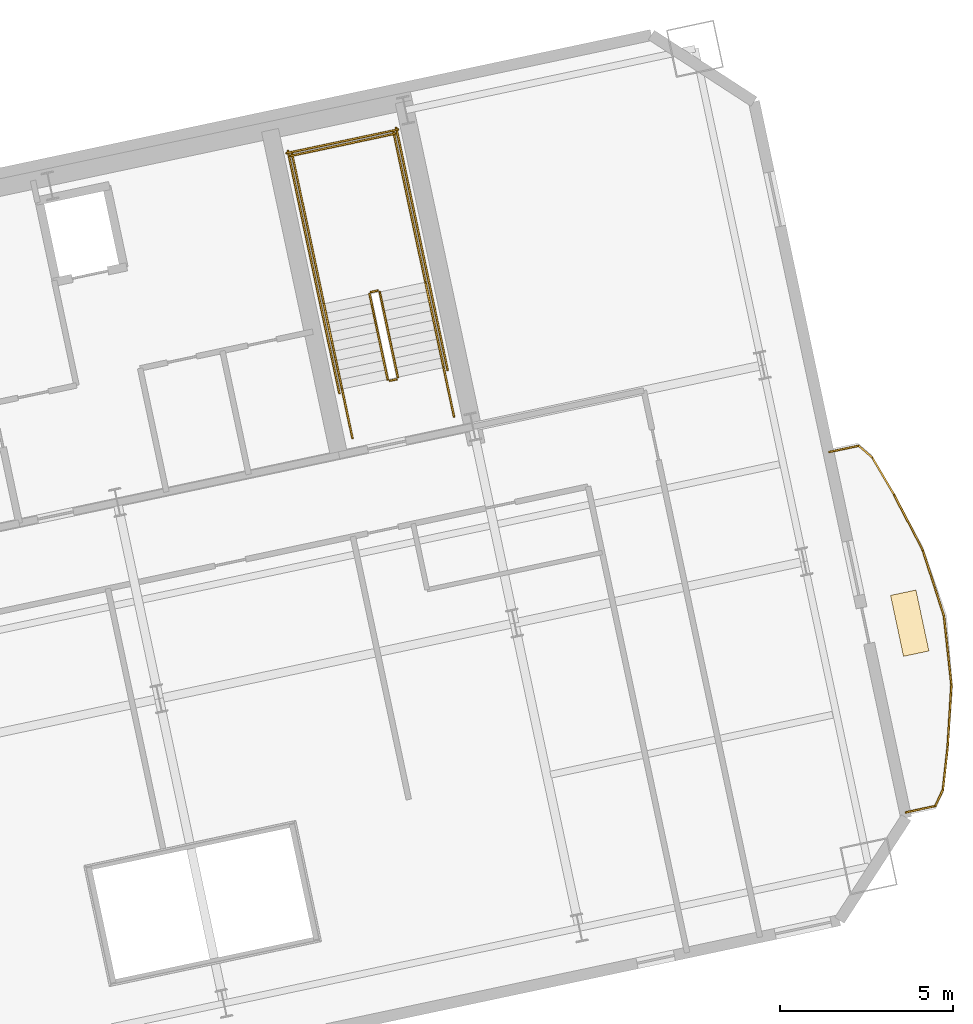
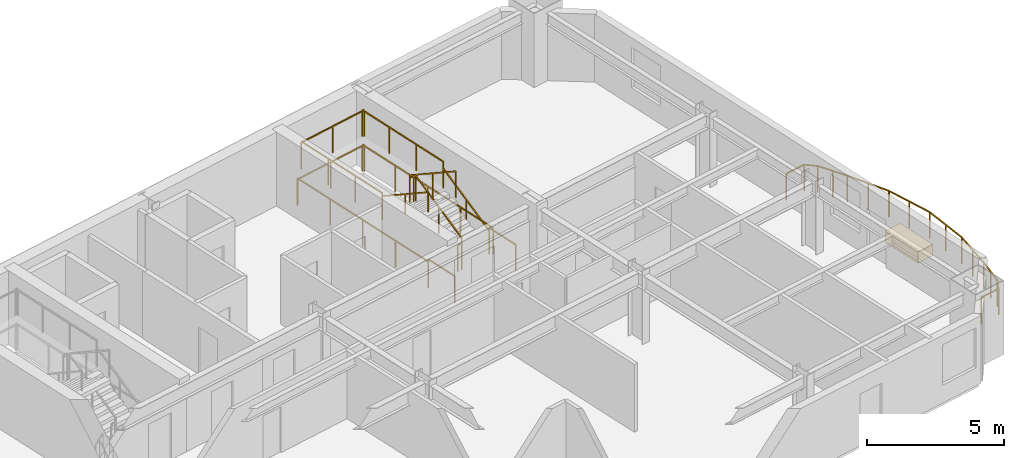
# One storey, part 14 of 14: 24 railings, 1 covering.
"""IFC4 building model written with IfcOpenShell, lengths in metres."""

from ifc_helpers import new_model, si_unit, direction, frame, origin, origin_2d, place, context, subcontext, project, spatial, rectangle, extrude, material, layer, layer_set, type_object, element, save


model = new_model("IFC4")

# Units and contexts
model_context = context("Model", 3, precision=1e-05, world=origin(), true_north=direction((0.0, 1.0)))
body_context = subcontext(model_context, "Body", "Model", "MODEL_VIEW")
ifc_project = project(units=[si_unit("LENGTHUNIT", "METRE"), si_unit("AREAUNIT", "SQUARE_METRE"), si_unit("VOLUMEUNIT", "CUBIC_METRE"), si_unit("PLANEANGLEUNIT", "RADIAN"), si_unit("MASSUNIT", "GRAM", prefix="KILO")], contexts=[model_context])

# Site, building, storey
site_placement = place(None, origin())
site = spatial("IfcSite", under=ifc_project, at=site_placement, CompositionType="ELEMENT")
building_placement = place(site_placement, origin())
building = spatial("IfcBuilding", under=site, at=building_placement, Name="Haevon Station Towers", CompositionType="ELEMENT")
storey_placement = place(building_placement, frame((0.0, 0.0, 106.5)))
storey = spatial("IfcBuildingStorey", under=building, at=storey_placement, Name="L28", CompositionType="ELEMENT", Elevation=106.5)

# Railings
ifc_material_1 = material(Name="Steel S355", Category="steel")
railing_type_1 = type_object("IfcRailingType", Name="GRD-EXT1200", PredefinedType="GUARDRAIL", material=ifc_material_1)
railing_1_placement = place(storey_placement, frame((131.80615234375, 30.66943359375, 0.0)))
element("IfcRailing", 1, at=railing_1_placement, inside=storey, type_object=railing_type_1, Name="L28 Perimeter Guardrail 1", PredefinedType="GUARDRAIL", context=body_context, shape_type="SweptSolid", body=[
    extrude(rectangle(XDim=0.048095703125, YDim=0.048095703125, at=origin_2d()), frame((0.0, 0.0, 1.17578125), z_axis=(0.977625338711, 0.210353742802, 0.0), x_axis=(-0.210353742802, 0.977625338711, 0.0)), (0.0, 0.0, 1.0), 0.869384765625),
    extrude(rectangle(XDim=0.0419921875, YDim=0.0419921875, at=origin_2d()), origin(), (0.0, 0.0, 1.0), 1.15185546875),
    extrude(rectangle(XDim=0.0419921875, YDim=0.0419921875, at=origin_2d()), frame((0.849853515625, 0.182861328125, 0.0)), (0.0, 0.0, 1.0), 1.15185546875),
])
railing_2_placement = place(storey_placement, frame((132.656005859375, 30.852294921875, 0.0)))
element("IfcRailing", 2, at=railing_2_placement, inside=storey, type_object=railing_type_1, Name="L28 Perimeter Guardrail 2", PredefinedType="GUARDRAIL", context=body_context, shape_type="SweptSolid", body=[
    extrude(rectangle(XDim=0.048095703125, YDim=0.048095703125, at=origin_2d()), frame((0.0, 0.0, 1.17578125), z_axis=(0.424336804867, 0.905504431814, 0.0), x_axis=(-0.905504431814, 0.424336804867, 0.0)), (0.0, 0.0, 1.0), 0.515625),
    extrude(rectangle(XDim=0.0419921875, YDim=0.0419921875, at=origin_2d()), origin(), (0.0, 0.0, 1.0), 1.15185546875),
    extrude(rectangle(XDim=0.0419921875, YDim=0.0419921875, at=origin_2d()), frame((0.21875, 0.466796875, 0.0)), (0.0, 0.0, 1.0), 1.15185546875),
])
railing_3_placement = place(storey_placement, frame((132.874755859375, 31.319091796875, 0.0)))
element("IfcRailing", 3, at=railing_3_placement, inside=storey, type_object=railing_type_1, Name="L28 Perimeter Guardrail 3", PredefinedType="GUARDRAIL", context=body_context, shape_type="SweptSolid", body=[
    extrude(rectangle(XDim=0.048095703125, YDim=0.048095703125, at=origin_2d()), frame((0.0, 0.0, 1.17578125), z_axis=(0.111061630517, 0.993813520851, 0.0), x_axis=(-0.993813520851, 0.111061630517, 0.0)), (0.0, 0.0, 1.0), 1.233154296875),
    extrude(rectangle(XDim=0.0419921875, YDim=0.0419921875, at=origin_2d()), origin(), (0.0, 0.0, 1.0), 1.15185546875),
    extrude(rectangle(XDim=0.0419921875, YDim=0.0419921875, at=origin_2d()), frame((0.068359375, 0.61279296875, 0.0)), (0.0, 0.0, 1.0), 1.15185546875),
    extrude(rectangle(XDim=0.0419921875, YDim=0.0419921875, at=origin_2d()), frame((0.136962890625, 1.2255859375, 0.0)), (0.0, 0.0, 1.0), 1.15185546875),
])
railing_4_placement = place(storey_placement, frame((133.01171875, 32.544677734375, 0.0)))
element("IfcRailing", 4, at=railing_4_placement, inside=storey, type_object=railing_type_1, Name="L28 Perimeter Guardrail 4", PredefinedType="GUARDRAIL", context=body_context, shape_type="SweptSolid", body=[
    extrude(rectangle(XDim=0.048095703125, YDim=0.048095703125, at=origin_2d()), frame((0.0, 0.0, 1.17578125), z_axis=(0.060230624472, 0.998184487896, 0.0), x_axis=(-0.998184487896, 0.060230624472, 0.0)), (0.0, 0.0, 1.0), 1.811767578125),
    extrude(rectangle(XDim=0.0419921875, YDim=0.0419921875, at=origin_2d()), origin(), (0.0, 0.0, 1.0), 1.15185546875),
    extrude(rectangle(XDim=0.0419921875, YDim=0.0419921875, at=origin_2d()), frame((0.0546875, 0.904296875, 0.0)), (0.0, 0.0, 1.0), 1.15185546875),
    extrude(rectangle(XDim=0.0419921875, YDim=0.0419921875, at=origin_2d()), frame((0.109130859375, 1.80859375, 0.0)), (0.0, 0.0, 1.0), 1.15185546875),
])
railing_5_placement = place(storey_placement, frame((133.120849609375, 34.353271484375, 0.0)))
element("IfcRailing", 5, at=railing_5_placement, inside=storey, type_object=railing_type_1, Name="L28 Perimeter Guardrail 5", PredefinedType="GUARDRAIL", context=body_context, shape_type="SweptSolid", body=[
    extrude(rectangle(XDim=0.048095703125, YDim=0.048095703125, at=origin_2d()), frame((0.0, 0.0, 1.17578125), z_axis=(-0.107406933296, 0.994215143055, 0.0), x_axis=(-0.994215143055, -0.107406933296, 0.0)), (0.0, 0.0, 1.0), 2.00244140625),
    extrude(rectangle(XDim=0.0419921875, YDim=0.0419921875, at=origin_2d()), origin(), (0.0, 0.0, 1.0), 1.15185546875),
    extrude(rectangle(XDim=0.0419921875, YDim=0.0419921875, at=origin_2d()), frame((-0.107421875, 0.99560546875, 0.0)), (0.0, 0.0, 1.0), 1.15185546875),
    extrude(rectangle(XDim=0.0419921875, YDim=0.0419921875, at=origin_2d()), frame((-0.215087890625, 1.990966796875, 0.0)), (0.0, 0.0, 1.0), 1.15185546875),
])
railing_6_placement = place(storey_placement, frame((132.90576171875, 36.34423828125, 0.0)))
element("IfcRailing", 6, at=railing_6_placement, inside=storey, type_object=railing_type_1, Name="L28 Perimeter Guardrail 6", PredefinedType="GUARDRAIL", context=body_context, shape_type="SweptSolid", body=[
    extrude(rectangle(XDim=0.048095703125, YDim=0.048095703125, at=origin_2d()), frame((0.0, 0.0, 1.17578125), z_axis=(-0.30633667378, 0.951923233406, 0.0), x_axis=(-0.951923233406, -0.30633667378, 0.0)), (0.0, 0.0, 1.0), 2.002685546875),
    extrude(rectangle(XDim=0.0419921875, YDim=0.0419921875, at=origin_2d()), origin(), (0.0, 0.0, 1.0), 1.15185546875),
    extrude(rectangle(XDim=0.0419921875, YDim=0.0419921875, at=origin_2d()), frame((-0.306640625, 0.953125, 0.0)), (0.0, 0.0, 1.0), 1.15185546875),
    extrude(rectangle(XDim=0.0419921875, YDim=0.0419921875, at=origin_2d()), frame((-0.613525390625, 1.906494140625, 0.0)), (0.0, 0.0, 1.0), 1.15185546875),
])
railing_7_placement = place(storey_placement, frame((132.292236328125, 38.250732421875, 0.0)))
element("IfcRailing", 7, at=railing_7_placement, inside=storey, type_object=railing_type_1, Name="L28 Perimeter Guardrail 7", PredefinedType="GUARDRAIL", context=body_context, shape_type="SweptSolid", body=[
    extrude(rectangle(XDim=0.048095703125, YDim=0.048095703125, at=origin_2d()), frame((0.0, 0.0, 1.17578125), z_axis=(-0.460958133013, 0.887421883666, 0.0), x_axis=(-0.887421883666, -0.460958133013, 0.0)), (0.0, 0.0, 1.0), 1.811767578125),
    extrude(rectangle(XDim=0.0419921875, YDim=0.0419921875, at=origin_2d()), origin(), (0.0, 0.0, 1.0), 1.15185546875),
    extrude(rectangle(XDim=0.0419921875, YDim=0.0419921875, at=origin_2d()), frame((-0.41748046875, 0.803955078125, 0.0)), (0.0, 0.0, 1.0), 1.15185546875),
    extrude(rectangle(XDim=0.0419921875, YDim=0.0419921875, at=origin_2d()), frame((-0.835205078125, 1.60791015625, 0.0)), (0.0, 0.0, 1.0), 1.15185546875),
])
railing_8_placement = place(storey_placement, frame((131.45703125, 39.858642578125, 0.0)))
element("IfcRailing", 8, at=railing_8_placement, inside=storey, type_object=railing_type_1, Name="L28 Perimeter Guardrail 8", PredefinedType="GUARDRAIL", context=body_context, shape_type="SweptSolid", body=[
    extrude(rectangle(XDim=0.048095703125, YDim=0.048095703125, at=origin_2d()), frame((0.0, 0.0, 1.17578125), z_axis=(-0.505704255016, 0.862706906463, 0.0), x_axis=(-0.862706906463, -0.505704255016, 0.0)), (0.0, 0.0, 1.0), 1.23291015625),
    extrude(rectangle(XDim=0.0419921875, YDim=0.0419921875, at=origin_2d()), origin(), (0.0, 0.0, 1.0), 1.15185546875),
    extrude(rectangle(XDim=0.0419921875, YDim=0.0419921875, at=origin_2d()), frame((-0.311767578125, 0.53173828125, 0.0)), (0.0, 0.0, 1.0), 1.15185546875),
    extrude(rectangle(XDim=0.0419921875, YDim=0.0419921875, at=origin_2d()), frame((-0.62353515625, 1.063720703125, 0.0)), (0.0, 0.0, 1.0), 1.15185546875),
])
railing_9_placement = place(storey_placement, frame((130.83349609375, 40.92236328125, 0.0)))
element("IfcRailing", 9, at=railing_9_placement, inside=storey, type_object=railing_type_1, Name="L28 Perimeter Guardrail 9", PredefinedType="GUARDRAIL", context=body_context, shape_type="SweptSolid", body=[
    extrude(rectangle(XDim=0.048095703125, YDim=0.048095703125, at=origin_2d()), frame((0.0, 0.0, 1.17578125), z_axis=(-0.755735952002, 0.654876454648, 0.0), x_axis=(-0.654876454648, -0.755735952002, 0.0)), (0.0, 0.0, 1.0), 0.515625),
    extrude(rectangle(XDim=0.0419921875, YDim=0.0419921875, at=origin_2d()), origin(), (0.0, 0.0, 1.0), 1.15185546875),
    extrude(rectangle(XDim=0.0419921875, YDim=0.0419921875, at=origin_2d()), frame((-0.3896484375, 0.337646484375, 0.0)), (0.0, 0.0, 1.0), 1.15185546875),
])
railing_10_placement = place(storey_placement, frame((130.44384765625, 41.260009765625, 0.0)))
element("IfcRailing", 10, at=railing_10_placement, inside=storey, type_object=railing_type_1, Name="L28 Perimeter Guardrail 10", PredefinedType="GUARDRAIL", context=body_context, shape_type="SweptSolid", body=[
    extrude(rectangle(XDim=0.048095703125, YDim=0.048095703125, at=origin_2d()), frame((0.0, 0.0, 1.17578125), z_axis=(-0.978588498747, -0.205826504901, 0.0), x_axis=(0.205826504901, -0.978588498747, 0.0)), (0.0, 0.0, 1.0), 0.869384765625),
    extrude(rectangle(XDim=0.0419921875, YDim=0.0419921875, at=origin_2d()), origin(), (0.0, 0.0, 1.0), 1.15185546875),
    extrude(rectangle(XDim=0.0419921875, YDim=0.0419921875, at=origin_2d()), frame((-0.850830078125, -0.178955078125, 0.0)), (0.0, 0.0, 1.0), 1.15185546875),
])
railing_type_2 = type_object("IfcRailingType", Name="GRD-STR1200", PredefinedType="GUARDRAIL", material=ifc_material_1)
railing_11_placement = place(storey_placement, frame((117.128662109375, 43.23974609375, 0.1650390625)))
element("IfcRailing", 11, at=railing_11_placement, inside=storey, type_object=railing_type_2, Name="L28 ST4 Stair Guard 1", PredefinedType="GUARDRAIL", context=body_context, shape_type="SweptSolid", body=[
    extrude(rectangle(XDim=0.048095703125, YDim=0.048095703125, at=origin_2d()), frame((0.0, 0.0, 1.17578125), z_axis=(-0.179128856099, 0.842723639875, 0.507670877349), x_axis=(-0.978147030254, -0.207914374695, 0.0)), (0.0, 0.0, 1.0), 2.9248046875),
    extrude(rectangle(XDim=0.0419921875, YDim=0.0419921875, at=origin_2d()), origin(), (0.0, 0.0, 1.0), 1.15185546875),
    extrude(rectangle(XDim=0.0419921875, YDim=0.0419921875, at=origin_2d()), frame((-0.261962890625, 1.232421875, 0.742431640625)), (0.0, 0.0, 1.0), 1.15185546875),
    extrude(rectangle(XDim=0.0419921875, YDim=0.0419921875, at=origin_2d()), frame((-0.52392578125, 2.46484375, 1.48486328125)), (0.0, 0.0, 1.0), 1.15185546875),
])
railing_12_placement = place(storey_placement, frame((116.54541015625, 45.7431640625, 1.64990234375)))
element("IfcRailing", 12, at=railing_12_placement, inside=storey, type_object=railing_type_2, Name="L28 ST4 Stair Guard 2", PredefinedType="GUARDRAIL", context=body_context, shape_type="SweptSolid", body=[
    extrude(rectangle(XDim=0.048095703125, YDim=0.048095703125, at=origin_2d()), frame((0.0, 0.0, 1.17578125), z_axis=(-0.97826412705, -0.207362720198, 0.0), x_axis=(0.207362720198, -0.97826412705, 0.0)), (0.0, 0.0, 1.0), 0.2001953125),
    extrude(rectangle(XDim=0.0419921875, YDim=0.0419921875, at=origin_2d()), origin(), (0.0, 0.0, 1.0), 1.15185546875),
    extrude(rectangle(XDim=0.0419921875, YDim=0.0419921875, at=origin_2d()), frame((-0.19580078125, -0.04150390625, 0.0)), (0.0, 0.0, 1.0), 1.15185546875),
])
railing_13_placement = place(storey_placement, frame((117.925048828125, 45.9853515625, 1.64990234375)))
element("IfcRailing", 13, at=railing_13_placement, inside=storey, type_object=railing_type_2, Name="L28 ST4 Stair Guard 3", PredefinedType="GUARDRAIL", context=body_context, shape_type="SweptSolid", body=[
    extrude(rectangle(XDim=0.048095703125, YDim=0.048095703125, at=origin_2d()), frame((0.0, 0.0, 1.17578125), z_axis=(-0.207876551949, 0.978155069071, 0.0), x_axis=(-0.978155069071, -0.207876551949, 0.0)), (0.0, 0.0, 1.0), 4.429931640625),
    extrude(rectangle(XDim=0.0419921875, YDim=0.0419921875, at=origin_2d()), origin(), (0.0, 0.0, 1.0), 1.15185546875),
    extrude(rectangle(XDim=0.0419921875, YDim=0.0419921875, at=origin_2d()), frame((-0.306884765625, 1.4443359375, 0.0)), (0.0, 0.0, 1.0), 1.15185546875),
    extrude(rectangle(XDim=0.0419921875, YDim=0.0419921875, at=origin_2d()), frame((-0.614013671875, 2.888916015625, 0.0)), (0.0, 0.0, 1.0), 1.15185546875),
    extrude(rectangle(XDim=0.0419921875, YDim=0.0419921875, at=origin_2d()), frame((-0.9208984375, 4.333251953125, 0.0)), (0.0, 0.0, 1.0), 1.15185546875),
])
railing_14_placement = place(storey_placement, frame((114.99072265625, 45.361572265625, 1.64990234375)))
element("IfcRailing", 14, at=railing_14_placement, inside=storey, type_object=railing_type_2, Name="L28 ST4 Stair Guard 4", PredefinedType="GUARDRAIL", context=body_context, shape_type="SweptSolid", body=[
    extrude(rectangle(XDim=0.048095703125, YDim=0.048095703125, at=origin_2d()), frame((0.0, 0.0, 1.17578125), z_axis=(-0.207929280007, 0.978143861871, 0.0), x_axis=(-0.978143861871, -0.207929280007, 0.0)), (0.0, 0.0, 1.0), 4.43017578125),
    extrude(rectangle(XDim=0.0419921875, YDim=0.0419921875, at=origin_2d()), origin(), (0.0, 0.0, 1.0), 1.15185546875),
    extrude(rectangle(XDim=0.0419921875, YDim=0.0419921875, at=origin_2d()), frame((-0.30712890625, 1.4443359375, 0.0)), (0.0, 0.0, 1.0), 1.15185546875),
    extrude(rectangle(XDim=0.0419921875, YDim=0.0419921875, at=origin_2d()), frame((-0.614013671875, 2.888916015625, 0.0)), (0.0, 0.0, 1.0), 1.15185546875),
    extrude(rectangle(XDim=0.0419921875, YDim=0.0419921875, at=origin_2d()), frame((-0.921142578125, 4.333251953125, 0.0)), (0.0, 0.0, 1.0), 1.15185546875),
])
railing_15_placement = place(storey_placement, frame((117.0634765625, 50.280029296875, 1.64990234375)))
element("IfcRailing", 15, at=railing_15_placement, inside=storey, type_object=railing_type_2, Name="L28 ST4 Stair Guard 5", PredefinedType="GUARDRAIL", context=body_context, shape_type="SweptSolid", body=[
    extrude(rectangle(XDim=0.048095703125, YDim=0.048095703125, at=origin_2d()), frame((0.0, 0.0, 1.17578125), z_axis=(-0.978146839882, -0.207915270313, 0.0), x_axis=(0.207915270313, -0.978146839882, 0.0)), (0.0, 0.0, 1.0), 3.099853515625),
    extrude(rectangle(XDim=0.0419921875, YDim=0.0419921875, at=origin_2d()), origin(), (0.0, 0.0, 1.0), 1.15185546875),
    extrude(rectangle(XDim=0.0419921875, YDim=0.0419921875, at=origin_2d()), frame((-1.51611328125, -0.322265625, 0.0)), (0.0, 0.0, 1.0), 1.15185546875),
    extrude(rectangle(XDim=0.0419921875, YDim=0.0419921875, at=origin_2d()), frame((-3.0322265625, -0.64453125, 0.0)), (0.0, 0.0, 1.0), 1.15185546875),
])
railing_16_placement = place(storey_placement, frame((116.311279296875, 45.642333984375, 1.81494140625)))
element("IfcRailing", 16, at=railing_16_placement, inside=storey, type_object=railing_type_2, Name="L28 ST4 Stair Guard 6", PredefinedType="GUARDRAIL", context=body_context, shape_type="SweptSolid", body=[
    extrude(rectangle(XDim=0.048095703125, YDim=0.048095703125, at=origin_2d()), frame((0.0, 0.0, 1.17578125), z_axis=(0.179108667068, -0.842712120868, 0.50769712105), x_axis=(0.978151217824, 0.207894673017, 0.0)), (0.0, 0.0, 1.0), 2.92529296875),
    extrude(rectangle(XDim=0.0419921875, YDim=0.0419921875, at=origin_2d()), origin(), (0.0, 0.0, 1.0), 1.15185546875),
    extrude(rectangle(XDim=0.0419921875, YDim=0.0419921875, at=origin_2d()), frame((0.261962890625, -1.232421875, 0.74267578125)), (0.0, 0.0, 1.0), 1.15185546875),
    extrude(rectangle(XDim=0.0419921875, YDim=0.0419921875, at=origin_2d()), frame((0.52392578125, -2.465087890625, 1.485107421875)), (0.0, 0.0, 1.0), 1.15185546875),
])
railing_17_placement = place(storey_placement, frame((117.090087890625, 43.180419921875, 0.0)))
element("IfcRailing", 17, at=railing_17_placement, inside=storey, type_object=railing_type_2, Name="L28 ST4 Stair Guard 7", PredefinedType="GUARDRAIL", context=body_context, shape_type="SweptSolid", body=[
    extrude(rectangle(XDim=0.048095703125, YDim=0.048095703125, at=origin_2d()), frame((0.0, 0.0, 1.17578125), z_axis=(-0.978211583308, -0.207610448392, 0.0), x_axis=(0.207610448392, -0.978211583308, 0.0)), (0.0, 0.0, 1.0), 0.199951171875),
    extrude(rectangle(XDim=0.0419921875, YDim=0.0419921875, at=origin_2d()), origin(), (0.0, 0.0, 1.0), 1.15185546875),
    extrude(rectangle(XDim=0.0419921875, YDim=0.0419921875, at=origin_2d()), frame((-0.195556640625, -0.04150390625, 0.0)), (0.0, 0.0, 1.0), 1.15185546875),
])
for number, where, name in (
    (18, (118.75048828125, 42.10205078125, 0.0), "L28 ST4 Stair Guard 8"),
    (19, (115.816162109375, 41.478271484375, 0.0), "L28 ST4 Stair Guard 9"),
):
    element("IfcRailing", number, at=place(storey_placement, frame(where)), inside=storey, type_object=railing_type_2, Name=name, PredefinedType="GUARDRAIL", context=body_context, shape_type="SweptSolid", body=[
        extrude(rectangle(XDim=0.048095703125, YDim=0.048095703125, at=origin_2d()), frame((0.0, 0.0, 1.17578125), z_axis=(-0.207919161079, 0.978146012851, 0.0), x_axis=(-0.978146012851, -0.207919161079, 0.0)), (0.0, 0.0, 1.0), 1.4501953125),
        extrude(rectangle(XDim=0.0419921875, YDim=0.0419921875, at=origin_2d()), origin(), (0.0, 0.0, 1.0), 1.15185546875),
        extrude(rectangle(XDim=0.0419921875, YDim=0.0419921875, at=origin_2d()), frame((-0.301513671875, 1.41845703125, 0.0)), (0.0, 0.0, 1.0), 1.15185546875),
    ])
railing_18_placement = place(storey_placement, frame((118.567626953125, 43.443359375, 0.0)))
element("IfcRailing", 20, at=railing_18_placement, inside=storey, type_object=railing_type_2, Name="L28 ST4 Stair Guard 10", PredefinedType="GUARDRAIL", context=body_context, shape_type="SweptSolid", body=[
    extrude(rectangle(XDim=0.048095703125, YDim=0.048095703125, at=origin_2d()), frame((0.0, 0.0, 1.17578125), z_axis=(-0.207908168386, 0.978148349443, 0.0), x_axis=(-0.978148349443, -0.207908168386, 0.0)), (0.0, 0.0, 1.0), 7.150146484375),
    extrude(rectangle(XDim=0.0419921875, YDim=0.0419921875, at=origin_2d()), origin(), (0.0, 0.0, 1.0), 1.15185546875),
    extrude(rectangle(XDim=0.0419921875, YDim=0.0419921875, at=origin_2d()), frame((-0.37158203125, 1.74853515625, 0.0)), (0.0, 0.0, 1.0), 1.15185546875),
    extrude(rectangle(XDim=0.0419921875, YDim=0.0419921875, at=origin_2d()), frame((-0.7431640625, 3.4970703125, 0.0)), (0.0, 0.0, 1.0), 1.15185546875),
    extrude(rectangle(XDim=0.0419921875, YDim=0.0419921875, at=origin_2d()), frame((-1.114990234375, 5.245361328125, 0.0)), (0.0, 0.0, 1.0), 1.15185546875),
    extrude(rectangle(XDim=0.0419921875, YDim=0.0419921875, at=origin_2d()), frame((-1.486572265625, 6.993896484375, 0.0)), (0.0, 0.0, 1.0), 1.15185546875),
])
railing_19_placement = place(storey_placement, frame((115.4375, 42.778076171875, 0.0)))
element("IfcRailing", 21, at=railing_19_placement, inside=storey, type_object=railing_type_2, Name="L28 ST4 Stair Guard 11", PredefinedType="GUARDRAIL", context=body_context, shape_type="SweptSolid", body=[
    extrude(rectangle(XDim=0.048095703125, YDim=0.048095703125, at=origin_2d()), frame((0.0, 0.0, 1.17578125), z_axis=(-0.207882442208, 0.978153817261, 0.0), x_axis=(-0.978153817261, -0.207882442208, 0.0)), (0.0, 0.0, 1.0), 7.14990234375),
    extrude(rectangle(XDim=0.0419921875, YDim=0.0419921875, at=origin_2d()), origin(), (0.0, 0.0, 1.0), 1.15185546875),
    extrude(rectangle(XDim=0.0419921875, YDim=0.0419921875, at=origin_2d()), frame((-0.37158203125, 1.74853515625, 0.0)), (0.0, 0.0, 1.0), 1.15185546875),
    extrude(rectangle(XDim=0.0419921875, YDim=0.0419921875, at=origin_2d()), frame((-0.7431640625, 3.496826171875, 0.0)), (0.0, 0.0, 1.0), 1.15185546875),
    extrude(rectangle(XDim=0.0419921875, YDim=0.0419921875, at=origin_2d()), frame((-1.11474609375, 5.2451171875, 0.0)), (0.0, 0.0, 1.0), 1.15185546875),
    extrude(rectangle(XDim=0.0419921875, YDim=0.0419921875, at=origin_2d()), frame((-1.486328125, 6.99365234375, 0.0)), (0.0, 0.0, 1.0), 1.15185546875),
])
railing_20_placement = place(storey_placement, frame((117.140380859375, 50.398681640625, 0.0)))
element("IfcRailing", 22, at=railing_20_placement, inside=storey, type_object=railing_type_2, Name="L28 ST4 Stair Guard 12", PredefinedType="GUARDRAIL", context=body_context, shape_type="SweptSolid", body=[
    extrude(rectangle(XDim=0.048095703125, YDim=0.048095703125, at=origin_2d()), frame((0.0, 0.0, 1.17578125), z_axis=(-0.978135717418, -0.207967589567, 0.0), x_axis=(0.207967589567, -0.978135717418, 0.0)), (0.0, 0.0, 1.0), 3.300048828125),
    extrude(rectangle(XDim=0.0419921875, YDim=0.0419921875, at=origin_2d()), origin(), (0.0, 0.0, 1.0), 1.15185546875),
    extrude(rectangle(XDim=0.0419921875, YDim=0.0419921875, at=origin_2d()), frame((-1.61376953125, -0.34326171875, 0.0)), (0.0, 0.0, 1.0), 1.15185546875),
    extrude(rectangle(XDim=0.0419921875, YDim=0.0419921875, at=origin_2d()), frame((-3.227783203125, -0.686279296875, 0.0)), (0.0, 0.0, 1.0), 1.15185546875),
])
railing_type_3 = type_object("IfcRailingType", Name="HND-STR900", PredefinedType="HANDRAIL", material=ifc_material_1)
railing_21_placement = place(storey_placement, frame((118.448974609375, 43.5205078125, 0.1650390625)))
element("IfcRailing", 23, at=railing_21_placement, inside=storey, type_object=railing_type_3, Name="L28 ST4 Stair Handrail 1", PredefinedType="HANDRAIL", context=body_context, shape_type="SweptSolid", body=[
    extrude(rectangle(XDim=0.048095703125, YDim=0.048095703125, at=origin_2d()), frame((0.0, 0.0, 0.8759765625), z_axis=(-0.179128856099, 0.842723639875, 0.507670877349), x_axis=(-0.978147030254, -0.207914374695, 0.0)), (0.0, 0.0, 1.0), 2.9248046875),
    extrude(rectangle(XDim=0.0419921875, YDim=0.0419921875, at=origin_2d()), origin(), (0.0, 0.0, 1.0), 0.851806640625),
    extrude(rectangle(XDim=0.0419921875, YDim=0.0419921875, at=origin_2d()), frame((-0.261962890625, 1.232421875, 0.742431640625)), (0.0, 0.0, 1.0), 0.851806640625),
    extrude(rectangle(XDim=0.0419921875, YDim=0.0419921875, at=origin_2d()), frame((-0.52392578125, 2.46484375, 1.48486328125)), (0.0, 0.0, 1.0), 0.851806640625),
])
railing_22_placement = place(storey_placement, frame((114.99072265625, 45.361572265625, 1.81494140625)))
element("IfcRailing", 24, at=railing_22_placement, inside=storey, type_object=railing_type_3, Name="L28 ST4 Stair Handrail 2", PredefinedType="HANDRAIL", context=body_context, shape_type="SweptSolid", body=[
    extrude(rectangle(XDim=0.048095703125, YDim=0.048095703125, at=origin_2d()), frame((0.0, 0.0, 0.8759765625), z_axis=(0.179121265225, -0.842687928106, 0.507732831485), x_axis=(0.978147030254, 0.207914374695, 0.0)), (0.0, 0.0, 1.0), 2.925048828125),
    extrude(rectangle(XDim=0.0419921875, YDim=0.0419921875, at=origin_2d()), origin(), (0.0, 0.0, 1.0), 0.851806640625),
    extrude(rectangle(XDim=0.0419921875, YDim=0.0419921875, at=origin_2d()), frame((0.261962890625, -1.232421875, 0.74267578125)), (0.0, 0.0, 1.0), 0.851806640625),
    extrude(rectangle(XDim=0.0419921875, YDim=0.0419921875, at=origin_2d()), frame((0.52392578125, -2.46484375, 1.485107421875)), (0.0, 0.0, 1.0), 0.851806640625),
])

# Covering
ifc_material_2 = material(Name="Architectural planter GRC", Category="concrete")
ifc_layer = layer(ifc_material_2, 0.550048828125)
ifc_layer_set = layer_set([ifc_layer], Name="Architectural planter GRC")
covering_type = type_object("IfcCoveringType", Name="PLN-GRC550", PredefinedType="MOLDING", material=ifc_layer_set)
covering_placement = place(storey_placement, frame((131.91796875, 36.13427734375, 0.0), z_axis=(0.0, 0.0, 1.0), x_axis=(0.978147600734, 0.207911690818, 0.0)))
element("IfcCovering", 25, at=covering_placement, inside=storey, type_object=covering_type, Name="Tower 2 L28 Scalloped Balcony PLANTER", PredefinedType="MOLDING", context=body_context, shape_type="SweptSolid", body=[
    extrude(rectangle(XDim=0.75, YDim=1.800048828125, at=origin_2d()), origin(), (0.0, 0.0, 1.0), 0.5),
])

save(model, "model.ifc")
